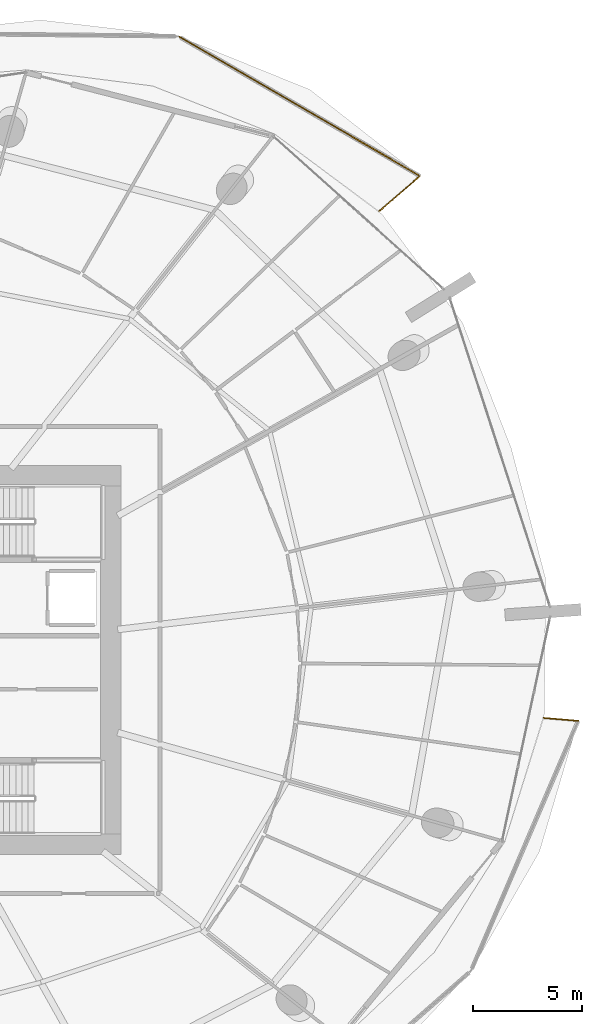
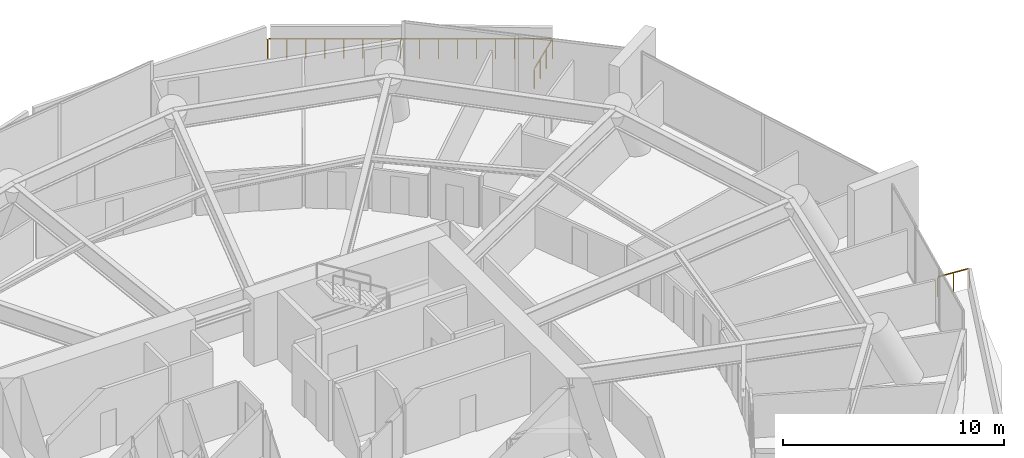
# One storey, part 31 of 31: 3 railings.
"""IFC4 building model written with IfcOpenShell, lengths in metres."""

from ifc_helpers import new_model, si_unit, direction, frame, origin, origin_2d, place, context, subcontext, project, spatial, rectangle, extrude, material, type_object, element, save


model = new_model("IFC4")

# Units and contexts
model_context = context("Model", 3, precision=1e-05, world=origin(), true_north=direction((0.0, 1.0)))
body_context = subcontext(model_context, "Body", "Model", "MODEL_VIEW")
ifc_project = project(units=[si_unit("LENGTHUNIT", "METRE"), si_unit("AREAUNIT", "SQUARE_METRE"), si_unit("VOLUMEUNIT", "CUBIC_METRE"), si_unit("PLANEANGLEUNIT", "RADIAN"), si_unit("MASSUNIT", "GRAM", prefix="KILO")], contexts=[model_context])

# Site, building, storey
site_placement = place(None, origin())
site = spatial("IfcSite", under=ifc_project, at=site_placement, CompositionType="ELEMENT")
building_placement = place(site_placement, origin())
building = spatial("IfcBuilding", under=site, at=building_placement, Name="Kazma Halo Residences", CompositionType="ELEMENT")
storey_placement = place(building_placement, frame((0.0, 0.0, 71.39990234375)))
storey = spatial("IfcBuildingStorey", under=building, at=storey_placement, Name="L17", CompositionType="ELEMENT", Elevation=71.39990234375)

# Railings
ifc_material = material(Name="Aluminium AW-6063 T6 Brushed Cap Rail", Category="aluminium")
railing_type = type_object("IfcRailingType", Name="RLG-BAL-CAP-1120", PredefinedType="BALUSTRADE", material=ifc_material)
railing_1_placement = place(storey_placement, frame((71.875732421875, 62.645263671875, 0.0)))
element("IfcRailing", 1, at=railing_1_placement, inside=storey, type_object=railing_type, Name="L17 NE wave balcony guard 1", PredefinedType="BALUSTRADE", context=body_context, shape_type="SweptSolid", body=[
    extrude(rectangle(XDim=0.050048828125, YDim=0.050048828125, at=origin_2d()), frame((0.0322265625, 0.02783203125, 1.09521484375), z_axis=(0.756405022064, 0.65410354119, 0.0), x_axis=(-0.65410354119, 0.756405022064, 0.0)), (0.0, 0.0, 1.0), 2.4111328125),
    extrude(rectangle(XDim=0.0400390625, YDim=0.0400390625, at=origin_2d()), origin(), (0.0, 0.0, 1.0), 1.05810546875),
    extrude(rectangle(XDim=0.0400390625, YDim=0.0400390625, at=origin_2d()), frame((0.62939453125, 0.544189453125, 0.0)), (0.0, 0.0, 1.0), 1.05810546875),
    extrude(rectangle(XDim=0.0400390625, YDim=0.0400390625, at=origin_2d()), frame((1.2587890625, 1.088623046875, 0.0)), (0.0, 0.0, 1.0), 1.05810546875),
    extrude(rectangle(XDim=0.0400390625, YDim=0.0400390625, at=origin_2d()), frame((1.88818359375, 1.6328125, 0.0)), (0.0, 0.0, 1.0), 1.05810546875),
])
railing_2_placement = place(storey_placement, frame((73.763916015625, 64.278076171875, 0.0)))
element("IfcRailing", 2, at=railing_2_placement, inside=storey, type_object=railing_type, Name="L17 NE wave balcony guard 2", PredefinedType="BALUSTRADE", context=body_context, shape_type="SweptSolid", body=[
    extrude(rectangle(XDim=0.050048828125, YDim=0.050048828125, at=origin_2d()), frame((-0.036865234375, 0.021240234375, 1.09521484375), z_axis=(-0.865599969538, 0.500736150818, 0.0), x_axis=(-0.500736150818, -0.865599969538, 0.0)), (0.0, 0.0, 1.0), 12.77490234375),
    extrude(rectangle(XDim=0.0400390625, YDim=0.0400390625, at=origin_2d()), origin(), (0.0, 0.0, 1.0), 1.05810546875),
    extrude(rectangle(XDim=0.0400390625, YDim=0.0400390625, at=origin_2d()), frame((-0.7421875, 0.42919921875, 0.0)), (0.0, 0.0, 1.0), 1.05810546875),
    extrude(rectangle(XDim=0.0400390625, YDim=0.0400390625, at=origin_2d()), frame((-1.484130859375, 0.858642578125, 0.0)), (0.0, 0.0, 1.0), 1.05810546875),
    extrude(rectangle(XDim=0.0400390625, YDim=0.0400390625, at=origin_2d()), frame((-2.226318359375, 1.287841796875, 0.0)), (0.0, 0.0, 1.0), 1.05810546875),
    extrude(rectangle(XDim=0.0400390625, YDim=0.0400390625, at=origin_2d()), frame((-2.968505859375, 1.71728515625, 0.0)), (0.0, 0.0, 1.0), 1.05810546875),
    extrude(rectangle(XDim=0.0400390625, YDim=0.0400390625, at=origin_2d()), frame((-3.71044921875, 2.146484375, 0.0)), (0.0, 0.0, 1.0), 1.05810546875),
    extrude(rectangle(XDim=0.0400390625, YDim=0.0400390625, at=origin_2d()), frame((-4.45263671875, 2.57568359375, 0.0)), (0.0, 0.0, 1.0), 1.05810546875),
    extrude(rectangle(XDim=0.0400390625, YDim=0.0400390625, at=origin_2d()), frame((-5.19482421875, 3.005126953125, 0.0)), (0.0, 0.0, 1.0), 1.05810546875),
    extrude(rectangle(XDim=0.0400390625, YDim=0.0400390625, at=origin_2d()), frame((-5.936767578125, 3.434326171875, 0.0)), (0.0, 0.0, 1.0), 1.05810546875),
    extrude(rectangle(XDim=0.0400390625, YDim=0.0400390625, at=origin_2d()), frame((-6.678955078125, 3.86376953125, 0.0)), (0.0, 0.0, 1.0), 1.05810546875),
    extrude(rectangle(XDim=0.0400390625, YDim=0.0400390625, at=origin_2d()), frame((-7.421142578125, 4.29296875, 0.0)), (0.0, 0.0, 1.0), 1.05810546875),
    extrude(rectangle(XDim=0.0400390625, YDim=0.0400390625, at=origin_2d()), frame((-8.1630859375, 4.72216796875, 0.0)), (0.0, 0.0, 1.0), 1.05810546875),
    extrude(rectangle(XDim=0.0400390625, YDim=0.0400390625, at=origin_2d()), frame((-8.9052734375, 5.151611328125, 0.0)), (0.0, 0.0, 1.0), 1.05810546875),
    extrude(rectangle(XDim=0.0400390625, YDim=0.0400390625, at=origin_2d()), frame((-9.6474609375, 5.580810546875, 0.0)), (0.0, 0.0, 1.0), 1.05810546875),
    extrude(rectangle(XDim=0.0400390625, YDim=0.0400390625, at=origin_2d()), frame((-10.389404296875, 6.01025390625, 0.0)), (0.0, 0.0, 1.0), 1.05810546875),
    extrude(rectangle(XDim=0.0400390625, YDim=0.0400390625, at=origin_2d()), frame((-11.131591796875, 6.439453125, 0.0)), (0.0, 0.0, 1.0), 1.05810546875),
])
railing_3_placement = place(storey_placement, frame((81.046875, 39.19580078125, 0.0)))
element("IfcRailing", 3, at=railing_3_placement, inside=storey, type_object=railing_type, Name="L17 SE wave balcony guard 4", PredefinedType="BALUSTRADE", context=body_context, shape_type="SweptSolid", body=[
    extrude(rectangle(XDim=0.050048828125, YDim=0.050048828125, at=origin_2d()), frame((-0.04248046875, 0.003662109375, 1.09521484375), z_axis=(-0.996416340817, 0.084584134162, 0.0), x_axis=(-0.084584134162, -0.996416340817, 0.0)), (0.0, 0.0, 1.0), 1.516845703125),
    extrude(rectangle(XDim=0.0400390625, YDim=0.0400390625, at=origin_2d()), origin(), (0.0, 0.0, 1.0), 1.05810546875),
    extrude(rectangle(XDim=0.0400390625, YDim=0.0400390625, at=origin_2d()), frame((-0.798095703125, 0.06787109375, 0.0)), (0.0, 0.0, 1.0), 1.05810546875),
    extrude(rectangle(XDim=0.0400390625, YDim=0.0400390625, at=origin_2d()), frame((-1.59619140625, 0.135498046875, 0.0)), (0.0, 0.0, 1.0), 1.05810546875),
])

save(model, "model.ifc")
